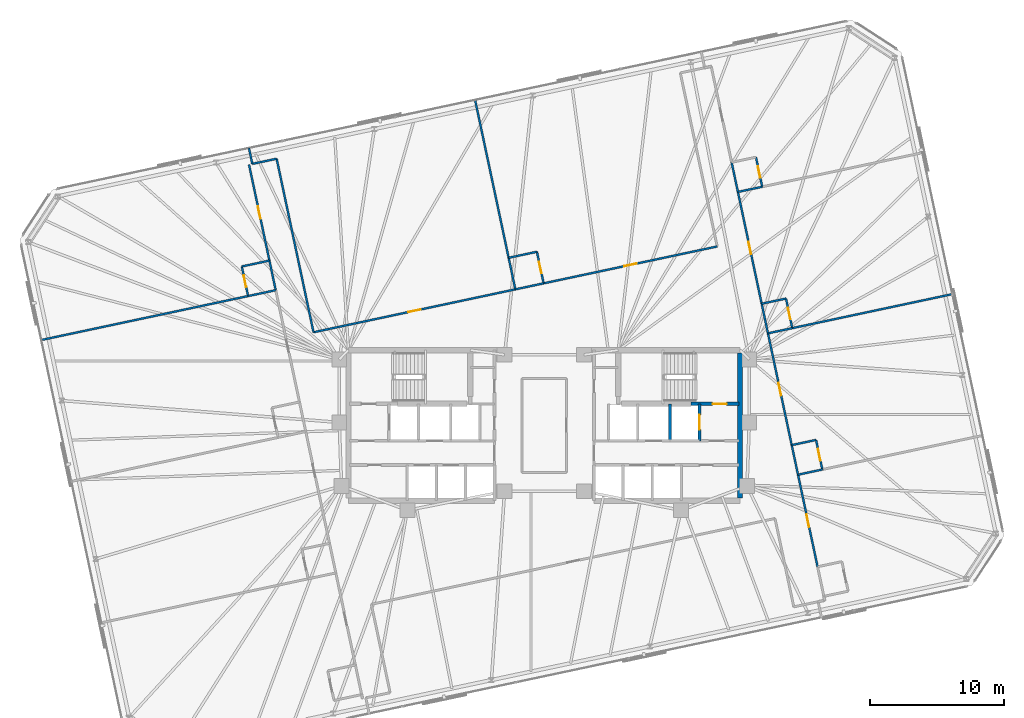
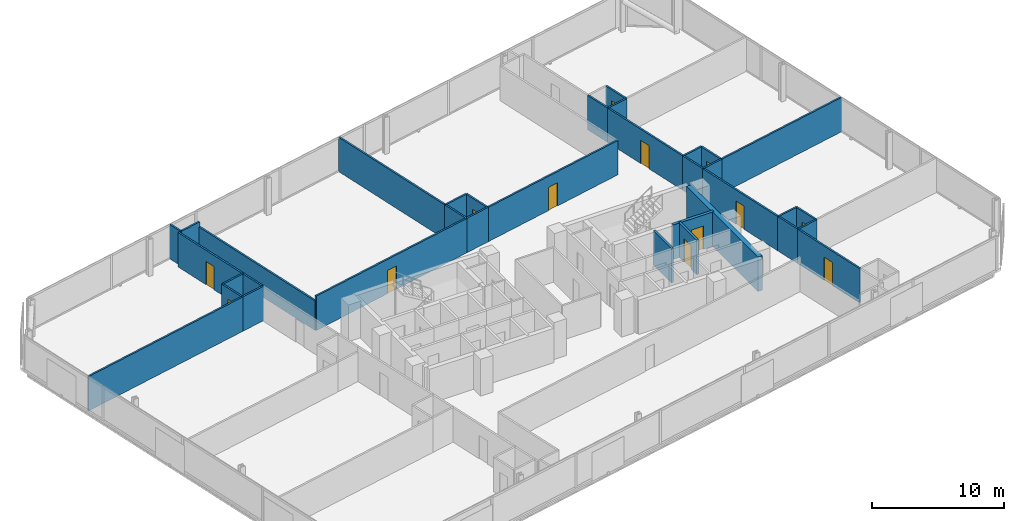
# One storey, part 16 of 19: 35 walls, 13 doors, 13 openings.
"""IFC4 building model written with IfcOpenShell, lengths in metres."""

from ifc_helpers import new_model, si_unit, direction, frame, frame_2d, origin, place, context, subcontext, project, spatial, rectangle, extrude, material, layer, layer_set, type_object, element, fill, save


model = new_model("IFC4")

# Units and contexts
model_context = context("Model", 3, precision=1e-05, world=origin(), true_north=direction((0.0, 1.0)))
body_context = subcontext(model_context, "Body", "Model", "MODEL_VIEW")
ifc_project = project(units=[si_unit("LENGTHUNIT", "METRE"), si_unit("AREAUNIT", "SQUARE_METRE"), si_unit("VOLUMEUNIT", "CUBIC_METRE"), si_unit("PLANEANGLEUNIT", "RADIAN"), si_unit("MASSUNIT", "GRAM", prefix="KILO")], contexts=[model_context])

# Site, building, storey
site_placement = place(None, origin())
site = spatial("IfcSite", under=ifc_project, at=site_placement, CompositionType="ELEMENT")
building_placement = place(site_placement, origin())
building = spatial("IfcBuilding", under=site, at=building_placement, Name="Menara Jurai Vektor", CompositionType="ELEMENT")
storey_placement = place(building_placement, frame((0.0, 0.0, 171.800048828125)))
storey = spatial("IfcBuildingStorey", under=building, at=storey_placement, Name="L44", CompositionType="ELEMENT", Elevation=171.800048828125)

# Wall, opening, door
ifc_material_1 = material(Name="Concrete C40/50", Category="concrete")
ifc_layer_1 = layer(ifc_material_1, 0.25)
ifc_layer_set_1 = layer_set([ifc_layer_1], Name="Concrete C40/50")
wall_type_1 = type_object("IfcWallType", Name="INT-WALL-CORE-250", PredefinedType="STANDARD", material=ifc_layer_set_1)
wall_1_placement = place(storey_placement, frame((10.89990234375, 1.60009765625, 0.0), z_axis=(0.0, 0.0, 1.0), x_axis=(1.0, 0.0, 0.0)))
wall_1 = element("IfcWall", 1, at=wall_1_placement, inside=storey, type_object=wall_type_1, Name="Interior Wall IW-250 L44", PredefinedType="STANDARD", context=body_context, shape_type="SweptSolid", body=[
    extrude(rectangle(XDim=3.60009765625, YDim=0.25, at=frame_2d((1.800048828125, 0.0))), origin(), (0.0, 0.0, 1.0), 3.175048828125),
])
opening_1_placement = place(wall_1_placement, frame((1.6201171875, 0.0, 0.0)))
opening_1 = element("IfcOpeningElement", 2, at=opening_1_placement, cuts=wall_1, Name="Opening D-L44-ST2", PredefinedType="OPENING", context=body_context, shape_type="SweptSolid", body=[
    extrude(rectangle(XDim=1.050048828125, YDim=2.14990234375, at=frame_2d((0.52490234375, 1.074951171875))), frame((0.0, 0.135009765625, 0.0), z_axis=(0.0, -1.0, 0.0), x_axis=(1.0, 0.0, 0.0)), (0.0, 0.0, 1.0), 0.27001953125),
])
ifc_material_2 = material(Name="Fire-Rated Steel Door", Category="steel")
door_type_1 = type_object("IfcDoorType", Name="DR-STAIR-1050", OperationType="NOTDEFINED", PredefinedType="DOOR", material=ifc_material_2)
door_1_placement = place(opening_1_placement, origin())
door_1 = element("IfcDoor", 3, at=door_1_placement, inside=storey, type_object=door_type_1, Name="Exit Stair ST2 Door L44", OperationType="SINGLE_SWING_LEFT", OverallHeight=2.14990234375, OverallWidth=1.050048828125, PredefinedType="DOOR", context=body_context, shape_type="SweptSolid", body=[
    extrude(rectangle(XDim=1.050048828125, YDim=2.14990234375, at=frame_2d((0.52490234375, 1.074951171875))), frame((0.0, 0.02490234375, 0.0), z_axis=(0.0, -1.0, 0.0), x_axis=(1.0, 0.0, 0.0)), (0.0, 0.0, 1.0), 0.050048828125),
])
fill(opening_1, door_1)

wall_2_placement = place(storey_placement, frame((11.550048828125, -1.14990234375, 0.0), z_axis=(0.0, 0.0, 1.0), x_axis=(0.0, 1.0, 0.0)))
wall_2 = element("IfcWall", 4, at=wall_2_placement, inside=storey, type_object=wall_type_1, Name="Interior Wall IW-250 L44", PredefinedType="STANDARD", context=body_context, shape_type="SweptSolid", body=[
    extrude(rectangle(XDim=2.75, YDim=0.199951171875, at=frame_2d((1.375, 0.0))), origin(), (0.0, 0.0, 1.0), 3.175048828125),
])
opening_2_placement = place(wall_2_placement, frame((0.824951171875, 0.0, 0.0)))
opening_2 = element("IfcOpeningElement", 5, at=opening_2_placement, cuts=wall_2, Name="Opening LD-L44-FL2", PredefinedType="OPENING", context=body_context, shape_type="SweptSolid", body=[
    extrude(rectangle(XDim=1.10009765625, YDim=2.14990234375, at=frame_2d((0.550048828125, 1.074951171875))), frame((0.0, 0.10986328125, 0.0), z_axis=(0.0, -1.0, 0.0), x_axis=(1.0, 0.0, 0.0)), (0.0, 0.0, 1.0), 0.219970703125),
])
ifc_material_3 = material(Name="Stainless Steel Sliding Lift Landing Door", Category="steel")
door_type_2 = type_object("IfcDoorType", Name="DR-LIFT-FIRE-1100", OperationType="NOTDEFINED", PredefinedType="DOOR", material=ifc_material_3)
door_2_placement = place(opening_2_placement, origin())
door_2 = element("IfcDoor", 6, at=door_2_placement, inside=storey, type_object=door_type_2, Name="Lift Landing Door FL2 L44", OperationType="SLIDING_TO_RIGHT", OverallHeight=2.14990234375, OverallWidth=1.10009765625, PredefinedType="DOOR", context=body_context, shape_type="SweptSolid", body=[
    extrude(rectangle(XDim=1.10009765625, YDim=2.14990234375, at=frame_2d((0.550048828125, 1.074951171875))), frame((0.0, 0.02490234375, 0.0), z_axis=(0.0, -1.0, 0.0), x_axis=(1.0, 0.0, 0.0)), (0.0, 0.0, 1.0), 0.050048828125),
])
fill(opening_2, door_2)

# Walls
wall_3_placement = place(storey_placement, frame((9.35009765625, -1.14990234375, 0.0), z_axis=(0.0, 0.0, 1.0), x_axis=(0.0, 1.0, 0.0)))
element("IfcWall", 7, at=wall_3_placement, inside=storey, type_object=wall_type_1, Name="Interior Wall IW-250 L44", PredefinedType="STANDARD", context=body_context, shape_type="SweptSolid", body=[
    extrude(rectangle(XDim=2.75, YDim=0.199951171875, at=frame_2d((1.375, 0.0))), origin(), (0.0, 0.0, 1.0), 3.175048828125),
])
ifc_material_4 = material(Name="Gypsum Fireboard Partition", Category="gypsum")
ifc_layer_2 = layer(ifc_material_4, 0.14990234375)
ifc_layer_set_2 = layer_set([ifc_layer_2], Name="Gypsum Fireboard Partition")
wall_type_2 = type_object("IfcWallType", Name="INT-WALL-CORR-150", PredefinedType="PARTITIONING", material=ifc_layer_set_2)
wall_4_placement = place(storey_placement, frame((-21.71533203125, 19.447998046875, 0.0), z_axis=(0.0, 0.0, 1.0), x_axis=(0.978160192495, 0.207852442415, 0.0)))
element("IfcWall", 8, at=wall_4_placement, inside=storey, type_object=wall_type_2, Name="Interior Wall IW-150 L44", PredefinedType="PARTITIONING", context=body_context, shape_type="SweptSolid", body=[
    extrude(rectangle(XDim=1.849853515625, YDim=0.14990234375, at=frame_2d((0.9248046875, 0.0))), origin(), (0.0, 0.0, 1.0), 3.175048828125),
])

# Wall, opening, door
wall_5_placement = place(storey_placement, frame((-17.162353515625, 6.92578125, 0.0), z_axis=(0.0, 0.0, 1.0), x_axis=(0.978145870853, 0.207919829103, 0.0)))
wall_5 = element("IfcWall", 9, at=wall_5_placement, inside=storey, type_object=wall_type_2, Name="Interior Wall IW-150 L44", PredefinedType="PARTITIONING", context=body_context, shape_type="SweptSolid", body=[
    extrude(rectangle(XDim=15.346923828125, YDim=0.14990234375, at=frame_2d((7.67333984375, 0.0))), origin(), (0.0, 0.0, 1.0), 3.175048828125),
])
opening_3_placement = place(wall_5_placement, frame((7.21337890625, 0.0, 0.0)))
opening_3 = element("IfcOpeningElement", 10, at=opening_3_placement, cuts=wall_5, Name="Opening D44-07", PredefinedType="OPENING", context=body_context, shape_type="SweptSolid", body=[
    extrude(rectangle(XDim=0.919921875, YDim=2.14990234375, at=frame_2d((0.4599609375, 1.074951171875))), frame((0.0, 0.0849609375, 0.0), z_axis=(0.0, -1.0, 0.0), x_axis=(1.0, 0.0, 0.0)), (0.0, 0.0, 1.0), 0.169921875),
])
ifc_material_5 = material(Name="Solid Core Timber Fire Door", Category="wood")
door_type_3 = type_object("IfcDoorType", Name="DR-ENTRY-950", OperationType="NOTDEFINED", PredefinedType="DOOR", material=ifc_material_5)
door_3_placement = place(opening_3_placement, origin())
door_3 = element("IfcDoor", 11, at=door_3_placement, inside=storey, type_object=door_type_3, Name="Interior Door D44-07", OperationType="SINGLE_SWING_RIGHT", OverallHeight=2.14990234375, OverallWidth=0.919921875, PredefinedType="DOOR", context=body_context, shape_type="SweptSolid", body=[
    extrude(rectangle(XDim=0.919921875, YDim=2.14990234375, at=frame_2d((0.4599609375, 1.074951171875))), frame((0.0, 0.02490234375, 0.0), z_axis=(0.0, -1.0, 0.0), x_axis=(1.0, 0.0, 0.0)), (0.0, 0.0, 1.0), 0.050048828125),
])
fill(opening_3, door_3)

wall_6_placement = place(storey_placement, frame((-0.0478515625, 10.563720703125, 0.0), z_axis=(0.0, 0.0, 1.0), x_axis=(0.978149729453, 0.207901675731, 0.0)))
wall_6 = element("IfcWall", 12, at=wall_6_placement, inside=storey, type_object=wall_type_2, Name="Interior Wall IW-150 L44", PredefinedType="PARTITIONING", context=body_context, shape_type="SweptSolid", body=[
    extrude(rectangle(XDim=13.197998046875, YDim=0.14990234375, at=frame_2d((6.59912109375, 0.0))), origin(), (0.0, 0.0, 1.0), 3.175048828125),
])
opening_4_placement = place(wall_6_placement, frame((6.138916015625, 0.0, 0.0)))
opening_4 = element("IfcOpeningElement", 13, at=opening_4_placement, cuts=wall_6, Name="Opening D44-08", PredefinedType="OPENING", context=body_context, shape_type="SweptSolid", body=[
    extrude(rectangle(XDim=0.919921875, YDim=2.14990234375, at=frame_2d((0.4599609375, 1.074951171875))), frame((0.0, 0.0849609375, 0.0), z_axis=(0.0, -1.0, 0.0), x_axis=(1.0, 0.0, 0.0)), (0.0, 0.0, 1.0), 0.169921875),
])
door_4_placement = place(opening_4_placement, origin())
door_4 = element("IfcDoor", 14, at=door_4_placement, inside=storey, type_object=door_type_3, Name="Interior Door D44-08", OperationType="SINGLE_SWING_LEFT", OverallHeight=2.14990234375, OverallWidth=0.919921875, PredefinedType="DOOR", context=body_context, shape_type="SweptSolid", body=[
    extrude(rectangle(XDim=0.919921875, YDim=2.14990234375, at=frame_2d((0.4599609375, 1.074951171875))), frame((0.0, 0.02490234375, 0.0), z_axis=(0.0, -1.0, 0.0), x_axis=(1.0, 0.0, 0.0)), (0.0, 0.0, 1.0), 0.050048828125),
])
fill(opening_4, door_4)

# Wall
wall_7_placement = place(storey_placement, frame((-2.15087890625, 10.11669921875, 0.0), z_axis=(0.0, 0.0, 1.0), x_axis=(0.978146728319, 0.207915795165, 0.0)))
element("IfcWall", 15, at=wall_7_placement, inside=storey, type_object=wall_type_2, Name="Interior Wall IW-150 L44", PredefinedType="PARTITIONING", context=body_context, shape_type="SweptSolid", body=[
    extrude(rectangle(XDim=2.14990234375, YDim=0.14990234375, at=frame_2d((1.074951171875, 0.0))), origin(), (0.0, 0.0, 1.0), 3.175048828125),
])

# Wall, opening, door
wall_8_placement = place(storey_placement, frame((-20.442138671875, 12.25537109375, 0.0), z_axis=(0.0, 0.0, 1.0), x_axis=(-0.207916352354, 0.978146609882, 0.0)))
wall_8 = element("IfcWall", 16, at=wall_8_placement, inside=storey, type_object=wall_type_2, Name="Interior Wall IW-150 L44", PredefinedType="PARTITIONING", context=body_context, shape_type="SweptSolid", body=[
    extrude(rectangle(XDim=7.300048828125, YDim=0.14990234375, at=frame_2d((3.64990234375, 0.0))), origin(), (0.0, 0.0, 1.0), 3.175048828125),
])
opening_5_placement = place(wall_8_placement, frame((3.175048828125, 0.0, 0.0)))
opening_5 = element("IfcOpeningElement", 17, at=opening_5_placement, cuts=wall_8, Name="Opening D44-17", PredefinedType="OPENING", context=body_context, shape_type="SweptSolid", body=[
    extrude(rectangle(XDim=0.949951171875, YDim=2.14990234375, at=frame_2d((0.47509765625, 1.074951171875))), frame((0.0, 0.0849609375, 0.0), z_axis=(0.0, -1.0, 0.0), x_axis=(1.0, 0.0, 0.0)), (0.0, 0.0, 1.0), 0.169921875),
])
door_5_placement = place(opening_5_placement, origin())
door_5 = element("IfcDoor", 18, at=door_5_placement, inside=storey, type_object=door_type_3, Name="Interior Door D44-17", OperationType="SINGLE_SWING_RIGHT", OverallHeight=2.14990234375, OverallWidth=0.949951171875, PredefinedType="DOOR", context=body_context, shape_type="SweptSolid", body=[
    extrude(rectangle(XDim=0.949951171875, YDim=2.14990234375, at=frame_2d((0.47509765625, 1.074951171875))), frame((0.0, 0.02490234375, 0.0), z_axis=(0.0, -1.0, 0.0), x_axis=(1.0, 0.0, 0.0)), (0.0, 0.0, 1.0), 0.050048828125),
])
fill(opening_5, door_5)

# Wall
wall_9_placement = place(storey_placement, frame((-19.974365234375, 10.0546875, 0.0), z_axis=(0.0, 0.0, 1.0), x_axis=(-0.207913264065, 0.978147266328, 0.0)))
element("IfcWall", 19, at=wall_9_placement, inside=storey, type_object=wall_type_2, Name="Interior Wall IW-150 L44", PredefinedType="PARTITIONING", context=body_context, shape_type="SweptSolid", body=[
    extrude(rectangle(XDim=2.249755859375, YDim=0.14990234375, at=frame_2d((1.125, 0.0))), origin(), (0.0, 0.0, 1.0), 3.175048828125),
])

# Wall, opening, door
wall_10_placement = place(storey_placement, frame((20.328125, -10.515380859375, 0.0), z_axis=(0.0, 0.0, 1.0), x_axis=(-0.207906726269, 0.978148655968, 0.0)))
wall_10 = element("IfcWall", 20, at=wall_10_placement, inside=storey, type_object=wall_type_2, Name="Interior Wall IW-150 L44", PredefinedType="PARTITIONING", context=body_context, shape_type="SweptSolid", body=[
    extrude(rectangle(XDim=7.0, YDim=0.14990234375, at=frame_2d((3.5, 0.0))), origin(), (0.0, 0.0, 1.0), 3.175048828125),
])
opening_6_placement = place(wall_10_placement, frame((3.02490234375, 0.0, 0.0)))
opening_6 = element("IfcOpeningElement", 21, at=opening_6_placement, cuts=wall_10, Name="Opening D44-19", PredefinedType="OPENING", context=body_context, shape_type="SweptSolid", body=[
    extrude(rectangle(XDim=0.949951171875, YDim=2.14990234375, at=frame_2d((0.47509765625, 1.074951171875))), frame((0.0, 0.0849609375, 0.0), z_axis=(0.0, -1.0, 0.0), x_axis=(1.0, 0.0, 0.0)), (0.0, 0.0, 1.0), 0.169921875),
])
door_6_placement = place(opening_6_placement, origin())
door_6 = element("IfcDoor", 22, at=door_6_placement, inside=storey, type_object=door_type_3, Name="Interior Door D44-19", OperationType="SINGLE_SWING_RIGHT", OverallHeight=2.14990234375, OverallWidth=0.949951171875, PredefinedType="DOOR", context=body_context, shape_type="SweptSolid", body=[
    extrude(rectangle(XDim=0.949951171875, YDim=2.14990234375, at=frame_2d((0.47509765625, 1.074951171875))), frame((0.0, 0.02490234375, 0.0), z_axis=(0.0, -1.0, 0.0), x_axis=(1.0, 0.0, 0.0)), (0.0, 0.0, 1.0), 0.050048828125),
])
fill(opening_6, door_6)

wall_11_placement = place(storey_placement, frame((18.40478515625, -1.4677734375, 0.0), z_axis=(0.0, 0.0, 1.0), x_axis=(-0.207888984761, 0.97815242678, 0.0)))
wall_11 = element("IfcWall", 23, at=wall_11_placement, inside=storey, type_object=wall_type_2, Name="Interior Wall IW-150 L44", PredefinedType="PARTITIONING", context=body_context, shape_type="SweptSolid", body=[
    extrude(rectangle(XDim=8.500244140625, YDim=0.14990234375, at=frame_2d((4.25, 0.0))), origin(), (0.0, 0.0, 1.0), 3.175048828125),
])
opening_7_placement = place(wall_11_placement, frame((3.77490234375, 0.0, 0.0)))
opening_7 = element("IfcOpeningElement", 24, at=opening_7_placement, cuts=wall_11, Name="Opening D44-21", PredefinedType="OPENING", context=body_context, shape_type="SweptSolid", body=[
    extrude(rectangle(XDim=0.949951171875, YDim=2.14990234375, at=frame_2d((0.47509765625, 1.074951171875))), frame((0.0, 0.0849609375, 0.0), z_axis=(0.0, -1.0, 0.0), x_axis=(1.0, 0.0, 0.0)), (0.0, 0.0, 1.0), 0.169921875),
])
door_7_placement = place(opening_7_placement, origin())
door_7 = element("IfcDoor", 25, at=door_7_placement, inside=storey, type_object=door_type_3, Name="Interior Door D44-21", OperationType="SINGLE_SWING_RIGHT", OverallHeight=2.14990234375, OverallWidth=0.949951171875, PredefinedType="DOOR", context=body_context, shape_type="SweptSolid", body=[
    extrude(rectangle(XDim=0.949951171875, YDim=2.14990234375, at=frame_2d((0.47509765625, 1.074951171875))), frame((0.0, 0.02490234375, 0.0), z_axis=(0.0, -1.0, 0.0), x_axis=(1.0, 0.0, 0.0)), (0.0, 0.0, 1.0), 0.050048828125),
])
fill(opening_7, door_7)

# Wall
wall_12_placement = place(storey_placement, frame((18.872802734375, -3.66845703125, 0.0), z_axis=(0.0, 0.0, 1.0), x_axis=(-0.208017083936, 0.9781251928, 0.0)))
element("IfcWall", 26, at=wall_12_placement, inside=storey, type_object=wall_type_2, Name="Interior Wall IW-150 L44", PredefinedType="PARTITIONING", context=body_context, shape_type="SweptSolid", body=[
    extrude(rectangle(XDim=2.25, YDim=0.14990234375, at=frame_2d((1.125, 0.0))), origin(), (0.0, 0.0, 1.0), 3.175048828125),
])

# Wall, opening, door
wall_13_placement = place(storey_placement, frame((16.169921875, 9.04736328125, 0.0), z_axis=(0.0, 0.0, 1.0), x_axis=(-0.2079164651, 0.978146585917, 0.0)))
wall_13 = element("IfcWall", 27, at=wall_13_placement, inside=storey, type_object=wall_type_2, Name="Interior Wall IW-150 L44", PredefinedType="PARTITIONING", context=body_context, shape_type="SweptSolid", body=[
    extrude(rectangle(XDim=8.500244140625, YDim=0.14990234375, at=frame_2d((4.25, 0.0))), origin(), (0.0, 0.0, 1.0), 3.175048828125),
])
opening_8_placement = place(wall_13_placement, frame((3.77490234375, 0.0, 0.0)))
opening_8 = element("IfcOpeningElement", 28, at=opening_8_placement, cuts=wall_13, Name="Opening D44-23", PredefinedType="OPENING", context=body_context, shape_type="SweptSolid", body=[
    extrude(rectangle(XDim=0.949951171875, YDim=2.14990234375, at=frame_2d((0.47509765625, 1.074951171875))), frame((0.0, 0.0849609375, 0.0), z_axis=(0.0, -1.0, 0.0), x_axis=(1.0, 0.0, 0.0)), (0.0, 0.0, 1.0), 0.169921875),
])
door_8_placement = place(opening_8_placement, origin())
door_8 = element("IfcDoor", 29, at=door_8_placement, inside=storey, type_object=door_type_3, Name="Interior Door D44-23", OperationType="SINGLE_SWING_RIGHT", OverallHeight=2.14990234375, OverallWidth=0.949951171875, PredefinedType="DOOR", context=body_context, shape_type="SweptSolid", body=[
    extrude(rectangle(XDim=0.949951171875, YDim=2.14990234375, at=frame_2d((0.47509765625, 1.074951171875))), frame((0.0, 0.02490234375, 0.0), z_axis=(0.0, -1.0, 0.0), x_axis=(1.0, 0.0, 0.0)), (0.0, 0.0, 1.0), 0.050048828125),
])
fill(opening_8, door_8)

# Walls
for number, where, z_axis, x_axis, name in (
    (30, (16.6376953125, 6.8466796875, 0.0), (0.0, 0.0, 1.0), (-0.207913264065, 0.978147266328, 0.0), "Interior Wall IW-150 L44"),
    (31, (14.402587890625, 17.36181640625, 0.0), (0.0, 0.0, 1.0), (-0.207913264065, 0.978147266328, 0.0), "Interior Wall IW-150 L44"),
):
    element("IfcWall", number, at=place(storey_placement, frame(where, z_axis=z_axis, x_axis=x_axis)), inside=storey, type_object=wall_type_2, Name=name, PredefinedType="PARTITIONING", context=body_context, shape_type="SweptSolid", body=[
        extrude(rectangle(XDim=2.249755859375, YDim=0.14990234375, at=frame_2d((1.125, 0.0))), origin(), (0.0, 0.0, 1.0), 3.175048828125),
    ])
wall_14_placement = place(storey_placement, frame((-2.64990234375, 12.46435546875, 0.0), z_axis=(0.0, 0.0, 1.0), x_axis=(-0.207914988081, 0.978146899873, 0.0)))
element("IfcWall", 32, at=wall_14_placement, inside=storey, type_object=wall_type_2, Name="Interior Wall IW-150 L44", PredefinedType="PARTITIONING", context=body_context, shape_type="SweptSolid", body=[
    extrude(rectangle(XDim=11.994873046875, YDim=0.14990234375, at=frame_2d((5.99755859375, 0.0))), origin(), (0.0, 0.0, 1.0), 3.175048828125),
])
wall_15_placement = place(storey_placement, frame((-2.15087890625, 10.11669921875, 0.0), z_axis=(0.0, 0.0, 1.0), x_axis=(-0.207917150959, 0.978146440129, 0.0)))
element("IfcWall", 33, at=wall_15_placement, inside=storey, type_object=wall_type_2, Name="Interior Wall IW-150 L44", PredefinedType="PARTITIONING", context=body_context, shape_type="SweptSolid", body=[
    extrude(rectangle(XDim=2.400146484375, YDim=0.14990234375, at=frame_2d((1.2001953125, 0.0))), origin(), (0.0, 0.0, 1.0), 3.175048828125),
])
wall_16_placement = place(storey_placement, frame((-21.71533203125, 19.447998046875, 0.0), z_axis=(0.0, 0.0, 1.0), x_axis=(-0.20795853359, 0.978137642823, 0.0)))
element("IfcWall", 34, at=wall_16_placement, inside=storey, type_object=wall_type_2, Name="Interior Wall IW-150 L44", PredefinedType="PARTITIONING", context=body_context, shape_type="SweptSolid", body=[
    extrude(rectangle(XDim=1.19970703125, YDim=0.14990234375, at=frame_2d((0.599853515625, 0.0))), origin(), (0.0, 0.0, 1.0), 3.175048828125),
])
wall_17_placement = place(storey_placement, frame((-2.64990234375, 12.46435546875, 0.0), z_axis=(0.0, 0.0, 1.0), x_axis=(0.978146728319, 0.207915795165, 0.0)))
element("IfcWall", 35, at=wall_17_placement, inside=storey, type_object=wall_type_2, Name="Interior Wall IW-150 L44", PredefinedType="PARTITIONING", context=body_context, shape_type="SweptSolid", body=[
    extrude(rectangle(XDim=2.14990234375, YDim=0.14990234375, at=frame_2d((1.074951171875, 0.0))), origin(), (0.0, 0.0, 1.0), 3.175048828125),
])

# Wall, opening, door
wall_18_placement = place(storey_placement, frame((-0.0478515625, 10.563720703125, 0.0), z_axis=(0.0, 0.0, 1.0), x_axis=(-0.207917150959, 0.978146440129, 0.0)))
wall_18 = element("IfcWall", 36, at=wall_18_placement, inside=storey, type_object=wall_type_2, Name="Interior Wall IW-150 L44", PredefinedType="PARTITIONING", context=body_context, shape_type="SweptSolid", body=[
    extrude(rectangle(XDim=2.400146484375, YDim=0.14990234375, at=frame_2d((1.2001953125, 0.0))), origin(), (0.0, 0.0, 1.0), 3.175048828125),
])
opening_9_placement = place(wall_18_placement, frame((0.760009765625, 0.0, 0.0)))
opening_9 = element("IfcOpeningElement", 37, at=opening_9_placement, cuts=wall_18, Name="Opening D44-09", PredefinedType="OPENING", context=body_context, shape_type="SweptSolid", body=[
    extrude(rectangle(XDim=0.8798828125, YDim=2.14990234375, at=frame_2d((0.43994140625, 1.074951171875))), frame((0.0, 0.0849609375, 0.0), z_axis=(0.0, -1.0, 0.0), x_axis=(1.0, 0.0, 0.0)), (0.0, 0.0, 1.0), 0.169921875),
])
ifc_material_6 = material(Name="Moisture-Resistant Timber Door", Category="wood")
door_type_4 = type_object("IfcDoorType", Name="DR-BATH-880", OperationType="NOTDEFINED", PredefinedType="DOOR", material=ifc_material_6)
door_9_placement = place(opening_9_placement, origin())
door_9 = element("IfcDoor", 38, at=door_9_placement, inside=storey, type_object=door_type_4, Name="Interior Door D44-09", OperationType="SINGLE_SWING_RIGHT", OverallHeight=2.14990234375, OverallWidth=0.8798828125, PredefinedType="DOOR", context=body_context, shape_type="SweptSolid", body=[
    extrude(rectangle(XDim=0.8798828125, YDim=2.14990234375, at=frame_2d((0.43994140625, 1.074951171875))), frame((0.0, 0.02490234375, 0.0), z_axis=(0.0, -1.0, 0.0), x_axis=(1.0, 0.0, 0.0)), (0.0, 0.0, 1.0), 0.050048828125),
])
fill(opening_9, door_9)

# Walls
wall_19_placement = place(storey_placement, frame((-37.403076171875, 6.35009765625, 0.0), z_axis=(0.0, 0.0, 1.0), x_axis=(0.978149296727, 0.207903711638, 0.0)))
element("IfcWall", 39, at=wall_19_placement, inside=storey, type_object=wall_type_2, Name="Interior Wall IW-150 L44", PredefinedType="PARTITIONING", context=body_context, shape_type="SweptSolid", body=[
    extrude(rectangle(XDim=15.718017578125, YDim=0.14990234375, at=frame_2d((7.85888671875, 0.0))), origin(), (0.0, 0.0, 1.0), 3.175048828125),
])
wall_20_placement = place(storey_placement, frame((-22.028564453125, 9.617919921875, 0.0), z_axis=(0.0, 0.0, 1.0), x_axis=(0.978134617382, 0.207972763311, 0.0)))
element("IfcWall", 40, at=wall_20_placement, inside=storey, type_object=wall_type_2, Name="Interior Wall IW-150 L44", PredefinedType="PARTITIONING", context=body_context, shape_type="SweptSolid", body=[
    extrude(rectangle(XDim=2.10009765625, YDim=0.14990234375, at=frame_2d((1.050048828125, 0.0))), origin(), (0.0, 0.0, 1.0), 3.175048828125),
])

# Wall, opening, door
wall_21_placement = place(storey_placement, frame((-22.028564453125, 9.617919921875, 0.0), z_axis=(0.0, 0.0, 1.0), x_axis=(-0.207891197838, 0.978151956427, 0.0)))
wall_21 = element("IfcWall", 41, at=wall_21_placement, inside=storey, type_object=wall_type_2, Name="Interior Wall IW-150 L44", PredefinedType="PARTITIONING", context=body_context, shape_type="SweptSolid", body=[
    extrude(rectangle(XDim=2.25, YDim=0.14990234375, at=frame_2d((1.125, 0.0))), origin(), (0.0, 0.0, 1.0), 3.175048828125),
])
opening_10_placement = place(wall_21_placement, frame((0.68505859375, 0.0, 0.0)))
opening_10 = element("IfcOpeningElement", 42, at=opening_10_placement, cuts=wall_21, Name="Opening D44-18", PredefinedType="OPENING", context=body_context, shape_type="SweptSolid", body=[
    extrude(rectangle(XDim=0.8798828125, YDim=2.14990234375, at=frame_2d((0.43994140625, 1.074951171875))), frame((0.0, 0.0849609375, 0.0), z_axis=(0.0, -1.0, 0.0), x_axis=(1.0, 0.0, 0.0)), (0.0, 0.0, 1.0), 0.169921875),
])
door_10_placement = place(opening_10_placement, origin())
door_10 = element("IfcDoor", 43, at=door_10_placement, inside=storey, type_object=door_type_4, Name="Interior Door D44-18", OperationType="SINGLE_SWING_LEFT", OverallHeight=2.14990234375, OverallWidth=0.8798828125, PredefinedType="DOOR", context=body_context, shape_type="SweptSolid", body=[
    extrude(rectangle(XDim=0.8798828125, YDim=2.14990234375, at=frame_2d((0.43994140625, 1.074951171875))), frame((0.0, 0.02490234375, 0.0), z_axis=(0.0, -1.0, 0.0), x_axis=(1.0, 0.0, 0.0)), (0.0, 0.0, 1.0), 0.050048828125),
])
fill(opening_10, door_10)

# Walls
wall_22_placement = place(storey_placement, frame((-22.496337890625, 11.81884765625, 0.0), z_axis=(0.0, 0.0, 1.0), x_axis=(0.97815826, 0.207861536591, 0.0)))
element("IfcWall", 44, at=wall_22_placement, inside=storey, type_object=wall_type_2, Name="Interior Wall IW-150 L44", PredefinedType="PARTITIONING", context=body_context, shape_type="SweptSolid", body=[
    extrude(rectangle(XDim=2.10009765625, YDim=0.14990234375, at=frame_2d((1.050048828125, 0.0))), origin(), (0.0, 0.0, 1.0), 3.175048828125),
])
wall_23_placement = place(storey_placement, frame((18.872802734375, -3.66845703125, 0.0), z_axis=(0.0, 0.0, 1.0), x_axis=(0.978160192495, 0.207852442415, 0.0)))
element("IfcWall", 45, at=wall_23_placement, inside=storey, type_object=wall_type_2, Name="Interior Wall IW-150 L44", PredefinedType="PARTITIONING", context=body_context, shape_type="SweptSolid", body=[
    extrude(rectangle(XDim=1.849853515625, YDim=0.14990234375, at=frame_2d((0.9248046875, 0.0))), origin(), (0.0, 0.0, 1.0), 3.175048828125),
])
wall_24_placement = place(storey_placement, frame((18.40478515625, -1.4677734375, 0.0), z_axis=(0.0, 0.0, 1.0), x_axis=(0.978139061018, 0.207951862966, 0.0)))
element("IfcWall", 46, at=wall_24_placement, inside=storey, type_object=wall_type_2, Name="Interior Wall IW-150 L44", PredefinedType="PARTITIONING", context=body_context, shape_type="SweptSolid", body=[
    extrude(rectangle(XDim=1.850341796875, YDim=0.14990234375, at=frame_2d((0.92529296875, 0.0))), origin(), (0.0, 0.0, 1.0), 3.175048828125),
])

# Wall, opening, door
wall_25_placement = place(storey_placement, frame((20.682373046875, -3.283935546875, 0.0), z_axis=(0.0, 0.0, 1.0), x_axis=(-0.207891197838, 0.978151956427, 0.0)))
wall_25 = element("IfcWall", 47, at=wall_25_placement, inside=storey, type_object=wall_type_2, Name="Interior Wall IW-150 L44", PredefinedType="PARTITIONING", context=body_context, shape_type="SweptSolid", body=[
    extrude(rectangle(XDim=2.25, YDim=0.14990234375, at=frame_2d((1.125, 0.0))), origin(), (0.0, 0.0, 1.0), 3.175048828125),
])
opening_11_placement = place(wall_25_placement, frame((0.68505859375, 0.0, 0.0)))
opening_11 = element("IfcOpeningElement", 48, at=opening_11_placement, cuts=wall_25, Name="Opening D44-22", PredefinedType="OPENING", context=body_context, shape_type="SweptSolid", body=[
    extrude(rectangle(XDim=0.8798828125, YDim=2.14990234375, at=frame_2d((0.43994140625, 1.074951171875))), frame((0.0, 0.0849609375, 0.0), z_axis=(0.0, -1.0, 0.0), x_axis=(1.0, 0.0, 0.0)), (0.0, 0.0, 1.0), 0.169921875),
])
door_11_placement = place(opening_11_placement, origin())
door_11 = element("IfcDoor", 49, at=door_11_placement, inside=storey, type_object=door_type_4, Name="Interior Door D44-22", OperationType="SINGLE_SWING_LEFT", OverallHeight=2.14990234375, OverallWidth=0.8798828125, PredefinedType="DOOR", context=body_context, shape_type="SweptSolid", body=[
    extrude(rectangle(XDim=0.8798828125, YDim=2.14990234375, at=frame_2d((0.43994140625, 1.074951171875))), frame((0.0, 0.02490234375, 0.0), z_axis=(0.0, -1.0, 0.0), x_axis=(1.0, 0.0, 0.0)), (0.0, 0.0, 1.0), 0.050048828125),
])
fill(opening_11, door_11)

# Walls
wall_26_placement = place(storey_placement, frame((18.447265625, 7.231201171875, 0.0), z_axis=(0.0, 0.0, 1.0), x_axis=(0.978149634612, 0.207902121941, 0.0)))
element("IfcWall", 50, at=wall_26_placement, inside=storey, type_object=wall_type_2, Name="Interior Wall IW-150 L44", PredefinedType="PARTITIONING", context=body_context, shape_type="SweptSolid", body=[
    extrude(rectangle(XDim=12.18701171875, YDim=0.14990234375, at=frame_2d((6.093505859375, 0.0))), origin(), (0.0, 0.0, 1.0), 3.175048828125),
])
wall_27_placement = place(storey_placement, frame((16.6376953125, 6.8466796875, 0.0), z_axis=(0.0, 0.0, 1.0), x_axis=(0.978160192495, 0.207852442415, 0.0)))
element("IfcWall", 51, at=wall_27_placement, inside=storey, type_object=wall_type_2, Name="Interior Wall IW-150 L44", PredefinedType="PARTITIONING", context=body_context, shape_type="SweptSolid", body=[
    extrude(rectangle(XDim=1.849853515625, YDim=0.14990234375, at=frame_2d((0.9248046875, 0.0))), origin(), (0.0, 0.0, 1.0), 3.175048828125),
])
wall_28_placement = place(storey_placement, frame((16.169921875, 9.04736328125, 0.0), z_axis=(0.0, 0.0, 1.0), x_axis=(0.978133353907, 0.20797870558, 0.0)))
element("IfcWall", 52, at=wall_28_placement, inside=storey, type_object=wall_type_2, Name="Interior Wall IW-150 L44", PredefinedType="PARTITIONING", context=body_context, shape_type="SweptSolid", body=[
    extrude(rectangle(XDim=1.85009765625, YDim=0.14990234375, at=frame_2d((0.925048828125, 0.0))), origin(), (0.0, 0.0, 1.0), 3.175048828125),
])

# Wall, opening, door
wall_29_placement = place(storey_placement, frame((18.447265625, 7.231201171875, 0.0), z_axis=(0.0, 0.0, 1.0), x_axis=(-0.207891197838, 0.978151956427, 0.0)))
wall_29 = element("IfcWall", 53, at=wall_29_placement, inside=storey, type_object=wall_type_2, Name="Interior Wall IW-150 L44", PredefinedType="PARTITIONING", context=body_context, shape_type="SweptSolid", body=[
    extrude(rectangle(XDim=2.25, YDim=0.14990234375, at=frame_2d((1.125, 0.0))), origin(), (0.0, 0.0, 1.0), 3.175048828125),
])
opening_12_placement = place(wall_29_placement, frame((0.68505859375, 0.0, 0.0)))
opening_12 = element("IfcOpeningElement", 54, at=opening_12_placement, cuts=wall_29, Name="Opening D44-24", PredefinedType="OPENING", context=body_context, shape_type="SweptSolid", body=[
    extrude(rectangle(XDim=0.8798828125, YDim=2.14990234375, at=frame_2d((0.43994140625, 1.074951171875))), frame((0.0, 0.0849609375, 0.0), z_axis=(0.0, -1.0, 0.0), x_axis=(1.0, 0.0, 0.0)), (0.0, 0.0, 1.0), 0.169921875),
])
door_12_placement = place(opening_12_placement, origin())
door_12 = element("IfcDoor", 55, at=door_12_placement, inside=storey, type_object=door_type_4, Name="Interior Door D44-24", OperationType="SINGLE_SWING_LEFT", OverallHeight=2.14990234375, OverallWidth=0.8798828125, PredefinedType="DOOR", context=body_context, shape_type="SweptSolid", body=[
    extrude(rectangle(XDim=0.8798828125, YDim=2.14990234375, at=frame_2d((0.43994140625, 1.074951171875))), frame((0.0, 0.02490234375, 0.0), z_axis=(0.0, -1.0, 0.0), x_axis=(1.0, 0.0, 0.0)), (0.0, 0.0, 1.0), 0.050048828125),
])
fill(opening_12, door_12)

# Wall
wall_30_placement = place(storey_placement, frame((14.402587890625, 17.36181640625, 0.0), z_axis=(0.0, 0.0, 1.0), x_axis=(0.978160192495, 0.207852442415, 0.0)))
element("IfcWall", 56, at=wall_30_placement, inside=storey, type_object=wall_type_2, Name="Interior Wall IW-150 L44", PredefinedType="PARTITIONING", context=body_context, shape_type="SweptSolid", body=[
    extrude(rectangle(XDim=1.849853515625, YDim=0.14990234375, at=frame_2d((0.9248046875, 0.0))), origin(), (0.0, 0.0, 1.0), 3.175048828125),
])

# Wall, opening, door
wall_31_placement = place(storey_placement, frame((16.212158203125, 17.746337890625, 0.0), z_axis=(0.0, 0.0, 1.0), x_axis=(-0.207913264065, 0.978147266328, 0.0)))
wall_31 = element("IfcWall", 57, at=wall_31_placement, inside=storey, type_object=wall_type_2, Name="Interior Wall IW-150 L44", PredefinedType="PARTITIONING", context=body_context, shape_type="SweptSolid", body=[
    extrude(rectangle(XDim=2.249755859375, YDim=0.14990234375, at=frame_2d((1.125, 0.0))), origin(), (0.0, 0.0, 1.0), 3.175048828125),
])
opening_13_placement = place(wall_31_placement, frame((0.68505859375, 0.0, 0.0)))
opening_13 = element("IfcOpeningElement", 58, at=opening_13_placement, cuts=wall_31, Name="Opening D44-26", PredefinedType="OPENING", context=body_context, shape_type="SweptSolid", body=[
    extrude(rectangle(XDim=0.8798828125, YDim=2.14990234375, at=frame_2d((0.43994140625, 1.074951171875))), frame((0.0, 0.0849609375, 0.0), z_axis=(0.0, -1.0, 0.0), x_axis=(1.0, 0.0, 0.0)), (0.0, 0.0, 1.0), 0.169921875),
])
door_13_placement = place(opening_13_placement, origin())
door_13 = element("IfcDoor", 59, at=door_13_placement, inside=storey, type_object=door_type_4, Name="Interior Door D44-26", OperationType="SINGLE_SWING_LEFT", OverallHeight=2.14990234375, OverallWidth=0.8798828125, PredefinedType="DOOR", context=body_context, shape_type="SweptSolid", body=[
    extrude(rectangle(XDim=0.8798828125, YDim=2.14990234375, at=frame_2d((0.43994140625, 1.074951171875))), frame((0.0, 0.02490234375, 0.0), z_axis=(0.0, -1.0, 0.0), x_axis=(1.0, 0.0, 0.0)), (0.0, 0.0, 1.0), 0.050048828125),
])
fill(opening_13, door_13)

# Walls
ifc_layer_3 = layer(ifc_material_4, 0.14990234375)
ifc_layer_set_3 = layer_set([ifc_layer_3], Name="Gypsum Fireboard Partition")
wall_type_3 = type_object("IfcWallType", Name="INT-WALL-CORR-150-H1", PredefinedType="PARTITIONING", material=ifc_layer_set_3)
wall_32_placement = place(storey_placement, frame((-17.162353515625, 6.92578125, 0.0), z_axis=(0.0, 0.0, 1.0), x_axis=(-0.207911421929, 0.978147657888, 0.0)))
element("IfcWall", 60, at=wall_32_placement, inside=storey, type_object=wall_type_3, Name="Interior Wall IW-150 L44", PredefinedType="PARTITIONING", context=body_context, shape_type="SweptSolid", body=[
    extrude(rectangle(XDim=13.195068359375, YDim=0.14990234375, at=frame_2d((6.59765625, 0.0))), origin(), (0.0, 0.0, 1.0), 2.724853515625),
])
ifc_material_7 = material(Name="Concrete C50/60", Category="concrete")
ifc_layer_4 = layer(ifc_material_7, 0.39990234375)
ifc_layer_set_4 = layer_set([ifc_layer_4], Name="Concrete C50/60")
wall_type_4 = type_object("IfcWallType", Name="STR-WALL-CORE400", PredefinedType="SHEAR", material=ifc_layer_set_4)
wall_33_placement = place(storey_placement, frame((14.56005859375, -5.39990234375, 0.0), z_axis=(0.0, 0.0, 1.0), x_axis=(0.0, 1.0, 0.0)))
element("IfcWall", 61, at=wall_33_placement, inside=storey, type_object=wall_type_4, Name="Core Shear Wall CW-E-E L44", PredefinedType="SHEAR", context=body_context, shape_type="SweptSolid", body=[
    extrude(rectangle(XDim=10.7998046875, YDim=0.39990234375, at=frame_2d((5.39990234375, 0.0))), origin(), (0.0, 0.0, 1.0), 3.175048828125),
])

save(model, "model.ifc")
